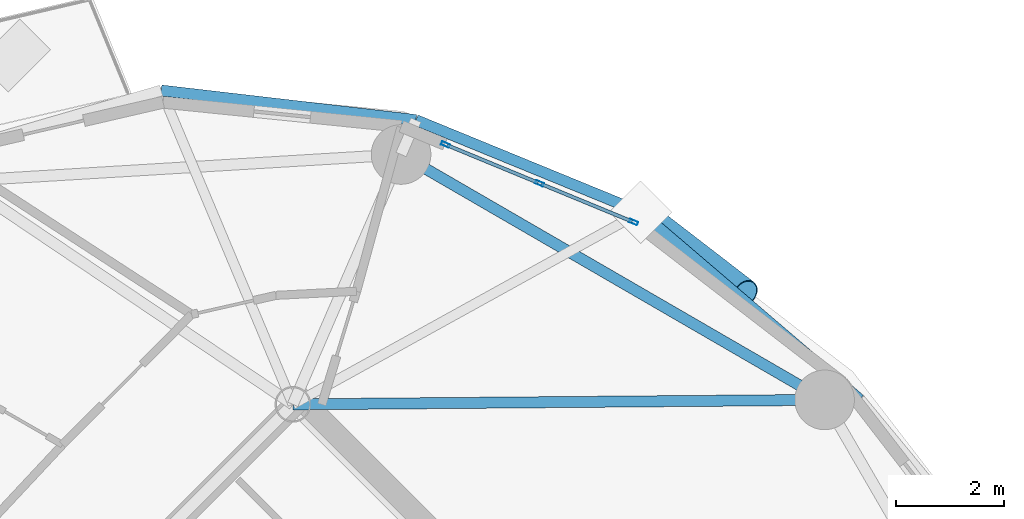
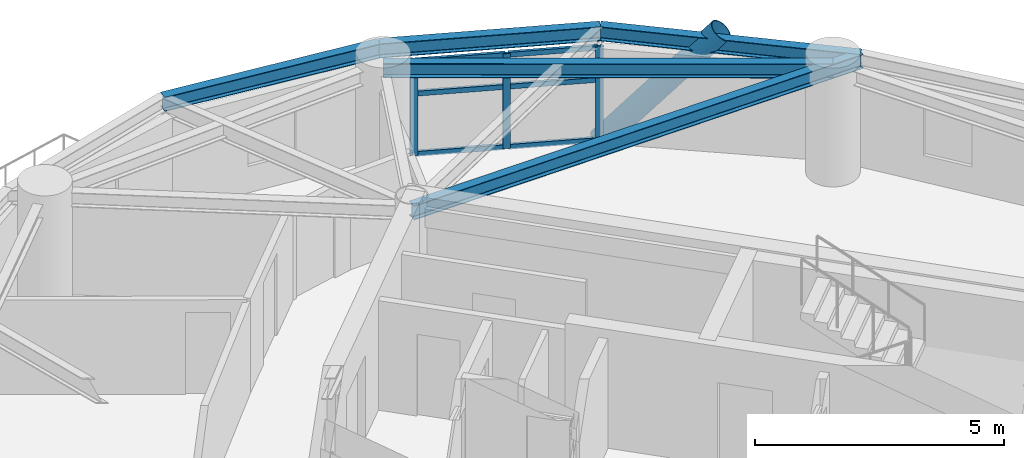
# One storey, part 5 of 16: 10 members, 5 beams, 1 element without a shape of its own.
"""IFC4 building model written with IfcOpenShell, lengths in metres."""

from ifc_helpers import new_model, si_unit, direction, frame, origin, origin_2d, place, context, subcontext, project, spatial, hollow_rectangle, hollow_circle, i_section, extrude, material, layer, layer_set, material_profile, profile_set, type_object, element, aggregate, save


model = new_model("IFC4")

# Units and contexts
model_context = context("Model", 3, precision=1e-05, world=origin(), true_north=direction((0.0, 1.0)))
body_context = subcontext(model_context, "Body", "Model", "MODEL_VIEW")
ifc_project = project(units=[si_unit("LENGTHUNIT", "METRE"), si_unit("AREAUNIT", "SQUARE_METRE"), si_unit("VOLUMEUNIT", "CUBIC_METRE"), si_unit("PLANEANGLEUNIT", "RADIAN"), si_unit("MASSUNIT", "GRAM", prefix="KILO")], contexts=[model_context])

# Site, building, storey
site_placement = place(None, origin())
site = spatial("IfcSite", under=ifc_project, at=site_placement, CompositionType="ELEMENT")
building_placement = place(site_placement, origin())
building = spatial("IfcBuilding", under=site, at=building_placement, Name="Cununo Teusaquillo Station Towers", CompositionType="ELEMENT")
storey_placement = place(building_placement, frame((0.0, 0.0, 208.300048828125)))
storey = spatial("IfcBuildingStorey", under=building, at=storey_placement, Name="L66", CompositionType="ELEMENT", Elevation=208.300048828125)

# Beams
ifc_material_1 = material(Name="Steel ASTM A572 Grade 50", Category="steel")
ifc_material_profile_1 = material_profile(ifc_material_1, i_section(OverallWidth=0.2041015625, OverallDepth=0.35009765625, WebThickness=0.008544921875, FlangeThickness=0.01513671875, FilletRadius=0.011962890625, at=origin_2d()), Name="W14X48")
ifc_profile_set_1 = profile_set([ifc_material_profile_1], Name="Steel ASTM A572 Grade 50")
beam_type_1 = type_object("IfcBeamType", Name="BM-RAD-G3", PredefinedType="BEAM", material=ifc_profile_set_1)
beam_1_placement = place(storey_placement, frame((56.29443359375, 33.024169921875, 2.52490234375), z_axis=(0.999964325253, 0.008446787673, 0.0), x_axis=(-0.008446787673, 0.999964325253, 0.0)))
element("IfcBeam", 1, at=beam_1_placement, inside=storey, type_object=beam_type_1, Name="L66 Tower B Continuous Overhanging Radial Girder 01", PredefinedType="BEAM", context=body_context, shape_type="SweptSolid", body=[
    extrude(i_section(OverallWidth=0.2041015625, OverallDepth=0.35009765625, WebThickness=0.008544921875, FlangeThickness=0.01513671875, FilletRadius=0.011962890625, at=origin_2d()), origin(), (0.0, 0.0, 1.0), 10.463134765625),
])
ifc_material_2 = material(Name="Steel ASTM A572 Grade 50", Category="steel")
ifc_material_profile_2 = material_profile(ifc_material_2, i_section(OverallWidth=0.2041015625, OverallDepth=0.35009765625, WebThickness=0.008544921875, FlangeThickness=0.01513671875, FilletRadius=0.011962890625, at=origin_2d()), Name="W14X48")
ifc_profile_set_2 = profile_set([ifc_material_profile_2], Name="Steel ASTM A572 Grade 50")
beam_type_2 = type_object("IfcBeamType", Name="BM-RING-Z4", PredefinedType="SPANDREL", material=ifc_profile_set_2)
beam_2_placement = place(storey_placement, frame((66.10693359375, 33.10693359375, 2.52490234375), z_axis=(-0.865267103202, 0.501311121078, 0.0), x_axis=(-0.501311121078, -0.865267103202, 0.0)))
element("IfcBeam", 2, at=beam_2_placement, inside=storey, type_object=beam_type_2, Name="L66 Tower B Structural Column Ring Girder 01", PredefinedType="SPANDREL", context=body_context, shape_type="SweptSolid", body=[
    extrude(i_section(OverallWidth=0.2041015625, OverallDepth=0.35009765625, WebThickness=0.008544921875, FlangeThickness=0.01513671875, FilletRadius=0.011962890625, at=origin_2d()), origin(), (0.0, 0.0, 1.0), 9.032958984375),
])
beam_3_placement = place(storey_placement, frame((66.757080078125, 33.112548828125, 2.52490234375), z_axis=(-0.760065778291, 0.649846145385, 0.0), x_axis=(-0.649846145385, -0.760065778291, 0.0)))
element("IfcBeam", 3, at=beam_3_placement, inside=storey, type_object=beam_type_2, Name="L66 Tower B Spandrel Ring Beam 01", PredefinedType="SPANDREL", context=body_context, shape_type="SweptSolid", body=[
    extrude(i_section(OverallWidth=0.2041015625, OverallDepth=0.35009765625, WebThickness=0.008544921875, FlangeThickness=0.01513671875, FilletRadius=0.011962890625, at=origin_2d()), origin(), (0.0, 0.0, 1.0), 5.320556640625),
])
beam_4_placement = place(storey_placement, frame((62.713134765625, 36.570068359375, 2.52490234375), z_axis=(-0.925283830437, 0.379275405388, 0.0), x_axis=(-0.379275405388, -0.925283830437, 0.0)))
element("IfcBeam", 4, at=beam_4_placement, inside=storey, type_object=beam_type_2, Name="L66 Tower B Spandrel Ring Beam 02", PredefinedType="SPANDREL", context=body_context, shape_type="SweptSolid", body=[
    extrude(i_section(OverallWidth=0.2041015625, OverallDepth=0.35009765625, WebThickness=0.008544921875, FlangeThickness=0.01513671875, FilletRadius=0.011962890625, at=origin_2d()), origin(), (0.0, 0.0, 1.0), 4.482177734375),
])
beam_5_placement = place(storey_placement, frame((58.56591796875, 38.27001953125, 2.52490234375), z_axis=(-0.993313022334, 0.115452326356, 0.0), x_axis=(-0.115452326356, -0.993313022334, 0.0)))
element("IfcBeam", 5, at=beam_5_placement, inside=storey, type_object=beam_type_2, Name="L66 Tower B Spandrel Ring Beam 03", PredefinedType="SPANDREL", context=body_context, shape_type="SweptSolid", body=[
    extrude(i_section(OverallWidth=0.2041015625, OverallDepth=0.35009765625, WebThickness=0.008544921875, FlangeThickness=0.01513671875, FilletRadius=0.011962890625, at=origin_2d()), origin(), (0.0, 0.0, 1.0), 4.732666015625),
])

# Curtain wall, members
ifc_material_3 = material(Name="Ceramic-fritted dark low-E double glazing", Category="glass")
ifc_layer = layer(ifc_material_3, 0.179931640625)
ifc_layer_set = layer_set([ifc_layer], Name="Ceramic-fritted dark low-E double glazing")
curtain_wall_type = type_object("IfcCurtainWallType", Name="CW-SYS-07", PredefinedType="USERDEFINED", material=ifc_layer_set)
curtain_wall_placement = place(storey_placement, origin())
curtain_wall = element("IfcCurtainWall", 6, at=curtain_wall_placement, inside=storey, type_object=curtain_wall_type, Name="L66 Tower B Facade Curtain Wall C01", ObjectType="FRITTED GLAZING", PredefinedType="USERDEFINED")
ifc_material_4 = material(Name="Anodised dark bronze aluminium EN AW-6063-T6", Category="aluminium")
ifc_material_profile_3 = material_profile(ifc_material_4, hollow_rectangle(XDim=0.06494140625, YDim=0.159912109375, WallThickness=0.00390625, at=origin_2d()), Name="CW-MULL-65x160")
ifc_profile_set_3 = profile_set([ifc_material_profile_3], Name="Anodised dark bronze aluminium EN AW-6063-T6")
member_type_1 = type_object("IfcMemberType", Name="CWM-160", PredefinedType="MULLION", material=ifc_profile_set_3)
member_1_placement = place(storey_placement, frame((59.111328125, 37.818359375, 0.0), z_axis=(0.0, 0.0, 1.0), x_axis=(0.381310513086, 0.924447019904, 0.0)))
member_1 = element("IfcMember", 7, at=member_1_placement, type_object=member_type_1, Name="CW-07 mullion 1", PredefinedType="MULLION", context=body_context, shape_type="SweptSolid", body=[
    extrude(hollow_rectangle(XDim=0.06494140625, YDim=0.159912109375, WallThickness=0.00390625, at=origin_2d()), origin(), (0.0, 0.0, 1.0), 2.322021484375),
])
member_2_placement = place(storey_placement, frame((60.84716796875, 37.102294921875, 0.0), z_axis=(0.0, 0.0, 1.0), x_axis=(0.381310513086, 0.924447019904, 0.0)))
member_2 = element("IfcMember", 8, at=member_2_placement, type_object=member_type_1, Name="CW-07 mullion 2", PredefinedType="MULLION", context=body_context, shape_type="SweptSolid", body=[
    extrude(hollow_rectangle(XDim=0.06494140625, YDim=0.159912109375, WallThickness=0.00390625, at=origin_2d()), origin(), (0.0, 0.0, 1.0), 2.322021484375),
])
member_3_placement = place(storey_placement, frame((62.583251953125, 36.38623046875, 0.0), z_axis=(0.0, 0.0, 1.0), x_axis=(0.381310513086, 0.924447019904, 0.0)))
member_3 = element("IfcMember", 9, at=member_3_placement, type_object=member_type_1, Name="CW-07 mullion 3", PredefinedType="MULLION", context=body_context, shape_type="SweptSolid", body=[
    extrude(hollow_rectangle(XDim=0.06494140625, YDim=0.159912109375, WallThickness=0.00390625, at=origin_2d()), origin(), (0.0, 0.0, 1.0), 2.322021484375),
])
ifc_material_5 = material(Name="Anodised dark bronze aluminium EN AW-6063-T6", Category="aluminium")
ifc_material_profile_4 = material_profile(ifc_material_5, hollow_rectangle(XDim=0.06494140625, YDim=0.1201171875, WallThickness=0.00390625, at=origin_2d()), Name="CW-TRAN-65x120")
ifc_profile_set_4 = profile_set([ifc_material_profile_4], Name="Anodised dark bronze aluminium EN AW-6063-T6")
member_type_2 = type_object("IfcMemberType", Name="CWT-120", PredefinedType="USERDEFINED", material=ifc_profile_set_4)
member_4_placement = place(storey_placement, frame((59.141357421875, 37.805908203125, 0.032470703125), z_axis=(0.924457591038, -0.381284883483, 0.0), x_axis=(0.381284883483, 0.924457591038, 0.0)))
member_4 = element("IfcMember", 10, at=member_4_placement, type_object=member_type_2, Name="CW-07 transom 1.1", ObjectType="TRANSOM", PredefinedType="USERDEFINED", context=body_context, shape_type="SweptSolid", body=[
    extrude(hollow_rectangle(XDim=0.06494140625, YDim=0.1201171875, WallThickness=0.00390625, at=origin_2d()), origin(), (0.0, 0.0, 1.0), 1.812744140625),
])
member_5_placement = place(storey_placement, frame((59.141357421875, 37.805908203125, 1.509033203125), z_axis=(0.924457591038, -0.381284883483, 0.0), x_axis=(0.381284883483, 0.924457591038, 0.0)))
member_5 = element("IfcMember", 11, at=member_5_placement, type_object=member_type_2, Name="CW-07 transom 1.2", ObjectType="TRANSOM", PredefinedType="USERDEFINED", context=body_context, shape_type="SweptSolid", body=[
    extrude(hollow_rectangle(XDim=0.06494140625, YDim=0.1201171875, WallThickness=0.00390625, at=origin_2d()), origin(), (0.0, 0.0, 1.0), 1.812744140625),
])
member_6_placement = place(storey_placement, frame((59.141357421875, 37.805908203125, 2.28955078125), z_axis=(0.924457591038, -0.381284883483, 0.0), x_axis=(0.381284883483, 0.924457591038, 0.0)))
member_6 = element("IfcMember", 12, at=member_6_placement, type_object=member_type_2, Name="CW-07 transom 1.3", ObjectType="TRANSOM", PredefinedType="USERDEFINED", context=body_context, shape_type="SweptSolid", body=[
    extrude(hollow_rectangle(XDim=0.06494140625, YDim=0.1201171875, WallThickness=0.00390625, at=origin_2d()), origin(), (0.0, 0.0, 1.0), 1.812744140625),
])
member_7_placement = place(storey_placement, frame((60.877197265625, 37.08984375, 0.032470703125), z_axis=(0.92447716721, -0.381237415932, 0.0), x_axis=(0.381237415932, 0.92447716721, 0.0)))
member_7 = element("IfcMember", 13, at=member_7_placement, type_object=member_type_2, Name="CW-07 transom 2.1", ObjectType="TRANSOM", PredefinedType="USERDEFINED", context=body_context, shape_type="SweptSolid", body=[
    extrude(hollow_rectangle(XDim=0.06494140625, YDim=0.1201171875, WallThickness=0.00390625, at=origin_2d()), origin(), (0.0, 0.0, 1.0), 1.81298828125),
])
member_8_placement = place(storey_placement, frame((60.877197265625, 37.08984375, 1.509033203125), z_axis=(0.92447716721, -0.381237415932, 0.0), x_axis=(0.381237415932, 0.92447716721, 0.0)))
member_8 = element("IfcMember", 14, at=member_8_placement, type_object=member_type_2, Name="CW-07 transom 2.2", ObjectType="TRANSOM", PredefinedType="USERDEFINED", context=body_context, shape_type="SweptSolid", body=[
    extrude(hollow_rectangle(XDim=0.06494140625, YDim=0.1201171875, WallThickness=0.00390625, at=origin_2d()), origin(), (0.0, 0.0, 1.0), 1.81298828125),
])
member_9_placement = place(storey_placement, frame((60.877197265625, 37.08984375, 2.28955078125), z_axis=(0.92447716721, -0.381237415932, 0.0), x_axis=(0.381237415932, 0.92447716721, 0.0)))
member_9 = element("IfcMember", 15, at=member_9_placement, type_object=member_type_2, Name="CW-07 transom 2.3", ObjectType="TRANSOM", PredefinedType="USERDEFINED", context=body_context, shape_type="SweptSolid", body=[
    extrude(hollow_rectangle(XDim=0.06494140625, YDim=0.1201171875, WallThickness=0.00390625, at=origin_2d()), origin(), (0.0, 0.0, 1.0), 1.81298828125),
])
aggregate(curtain_wall, [member_1, member_2, member_3, member_4, member_5, member_6, member_7, member_8, member_9])

# Member
ifc_material_6 = material(Name="Steel EN 10025-2 S355J2", Category="steel")
ifc_material_profile_5 = material_profile(ifc_material_6, hollow_circle(Radius=0.25390625, WallThickness=0.01806640625, at=origin_2d()), Name="CHS 508x18")
ifc_profile_set_5 = profile_set([ifc_material_profile_5], Name="Steel EN 10025-2 S355J2")
member_type_3 = type_object("IfcMemberType", Name="MBR-DIAG-Z4", PredefinedType="BRACE", material=ifc_profile_set_5)
member_10_placement = place(storey_placement, frame((62.713134765625, 36.570068359375, -0.14013671875), z_axis=(0.509522741264, -0.392548344915, 0.765697311632), x_axis=(0.610304239587, 0.792167113141, 0.0)))
element("IfcMember", 16, at=member_10_placement, inside=storey, type_object=member_type_3, Name="L66 Tower B Folded-Zigzag Diagrid Tube C00", PredefinedType="BRACE", context=body_context, shape_type="SweptSolid", body=[
    extrude(hollow_circle(Radius=0.25390625, WallThickness=0.01806640625, at=origin_2d()), origin(), (0.0, 0.0, 1.0), 3.80078125),
])

save(model, "model.ifc")
